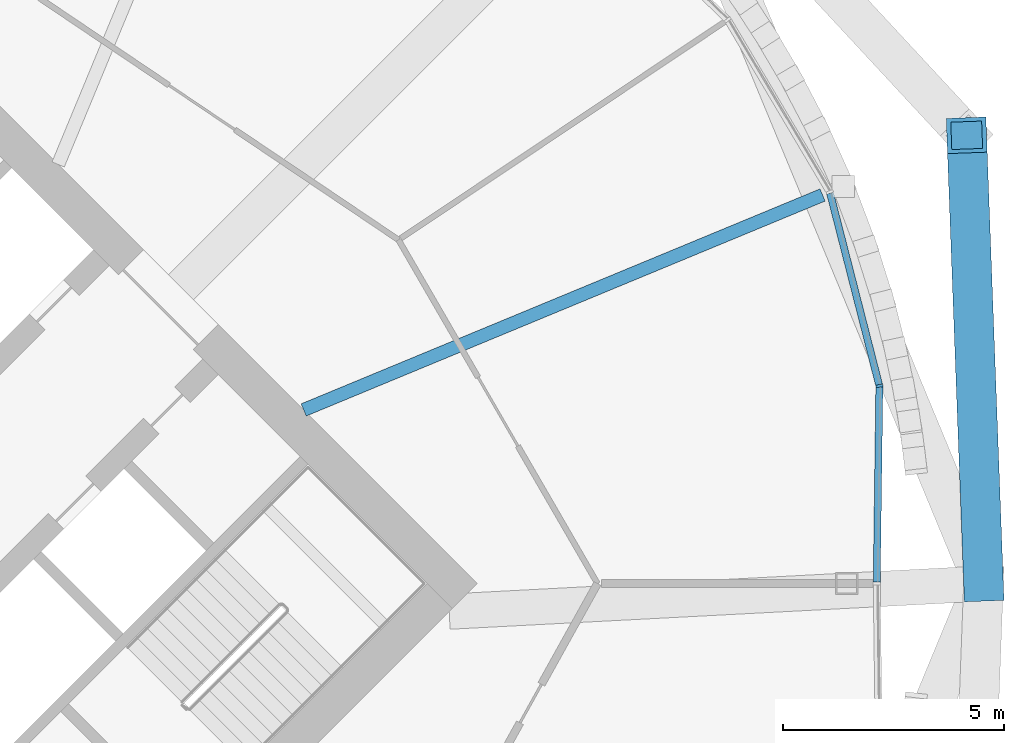
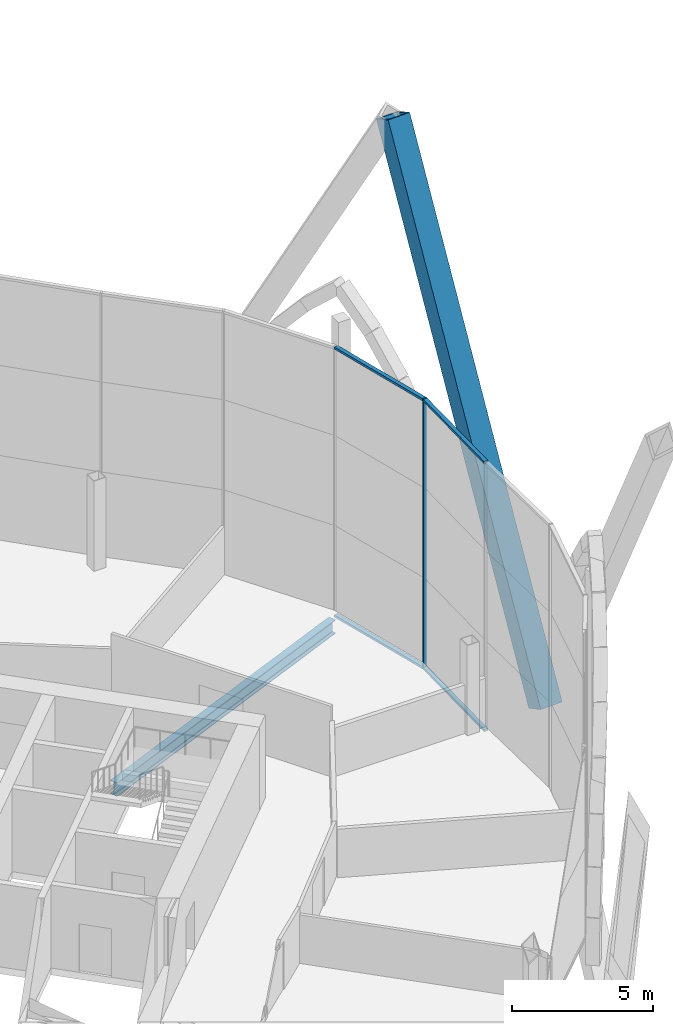
# One storey, part 19 of 37: 6 members, 1 beam, 1 element without a shape of its own.
"""IFC4 building model written with IfcOpenShell, lengths in metres."""

import ifcopenshell
import ifcopenshell.guid

model = None  # the IFC model being written
_history = None  # IfcOwnerHistory: only IFC2X3 demands one
_inside = {}  # id of a spatial element -> (the spatial element, [elements in it])
_under = {}  # id of a project, library or spatial element -> (it, [spatial elements below it])
_declared = {}  # id of a project -> (the project, [libraries it declares])
_typed = {}  # id of a type object -> (the type object, [elements of that type])
_made_of = {}  # id of a material, layer set ... -> (it, [elements and type objects made of it])


def new_model(schema):
    """Start an empty IFC model of exactly this schema.

    Asked for "IFC4X3", IfcOpenShell would pick the latest addendum, in which some entities
    have other attributes; the version numbers below select the first issue.
    IFC2X3 requires an IfcOwnerHistory on every rooted entity: one is made here for all.
    """
    global model, _history
    if schema == "IFC4X3":
        model = ifcopenshell.file(schema_version=(4, 3, 0, 0))
    else:
        model = ifcopenshell.file(schema=schema)
    _inside.clear()
    _under.clear()
    _declared.clear()
    _typed.clear()
    _made_of.clear()
    _history = None
    if model.schema == "IFC2X3":
        org = make("IfcOrganization", Name="unknown")
        user = make(
            "IfcPersonAndOrganization",
            ThePerson=make("IfcPerson", FamilyName="unknown"),
            TheOrganization=org,
        )
        app = make(
            "IfcApplication",
            ApplicationDeveloper=org,
            Version="unknown",
            ApplicationFullName="unknown",
            ApplicationIdentifier="unknown",
        )
        _history = make(
            "IfcOwnerHistory",
            OwningUser=user,
            OwningApplication=app,
            ChangeAction="ADDED",
            CreationDate=0,
        )
    return model


def make(cls, **values):
    """One entity of the class cls with the attributes given. An attribute that is None is left unset."""
    return model.create_entity(
        cls, **{name: value for name, value in values.items() if value is not None}
    )


def rooted(cls, **values):
    """An entity with a GlobalId (a new one), such as an element, a storey or a relation."""
    return make(cls, GlobalId=ifcopenshell.guid.new(), OwnerHistory=_history, **values)


def si_unit(unit_type, name, prefix=None):
    """IfcSIUnit, for example si_unit("LENGTHUNIT", "METRE", prefix="MILLI")."""
    return make("IfcSIUnit", UnitType=unit_type, Prefix=prefix, Name=name)


def assignment(units):
    """IfcUnitAssignment: the units of a project."""
    return None if units is None else make("IfcUnitAssignment", Units=units)


def point(xyz):
    """IfcCartesianPoint."""
    return None if xyz is None else make("IfcCartesianPoint", Coordinates=xyz)


def direction(xyz):
    """IfcDirection."""
    return None if xyz is None else make("IfcDirection", DirectionRatios=xyz)


def frame(location, z_axis=None, x_axis=None):
    """IfcAxis2Placement3D, a coordinate frame: its origin and axes. An axis left out is left unset."""
    return make(
        "IfcAxis2Placement3D",
        Location=point(location),
        Axis=direction(z_axis),
        RefDirection=direction(x_axis),
    )


def frame_2d(location, x_axis=None):
    """IfcAxis2Placement2D, a coordinate frame in the plane: its origin and x axis."""
    return make(
        "IfcAxis2Placement2D", Location=point(location), RefDirection=direction(x_axis)
    )


def origin():
    """The frame at (0, 0, 0) with its axes left unset."""
    return frame((0.0, 0.0, 0.0))


def origin_2d():
    """The frame at (0, 0) in the plane with its x axis left unset."""
    return frame_2d((0.0, 0.0))


def place(relative_to, where):
    """IfcLocalPlacement: puts the frame where relative to a parent placement (None: the world)."""
    return make(
        "IfcLocalPlacement", PlacementRelTo=relative_to, RelativePlacement=where
    )


def context(
    kind, dimensions, precision=None, world=None, true_north=None, identifier=None
):
    """IfcGeometricRepresentationContext, for example the 3D "Model" context."""
    return make(
        "IfcGeometricRepresentationContext",
        ContextIdentifier=identifier,
        ContextType=kind,
        CoordinateSpaceDimension=dimensions,
        Precision=precision,
        WorldCoordinateSystem=world,
        TrueNorth=true_north,
    )


def subcontext(parent, identifier, kind, view, scale=None):
    """IfcGeometricRepresentationSubContext, for example "Body" below "Model"."""
    return make(
        "IfcGeometricRepresentationSubContext",
        ContextIdentifier=identifier,
        ContextType=kind,
        ParentContext=parent,
        TargetScale=scale,
        TargetView=view,
    )


def project(units=None, contexts=None):
    """IfcProject with its units and contexts."""
    return rooted(
        "IfcProject",
        Name="project",
        RepresentationContexts=contexts,
        UnitsInContext=assignment(units),
    )


def spatial(cls, under=None, at=None, **own):
    """A site, building, storey or space (cls), placed at a placement, below another one or the project."""
    s = rooted(cls, ObjectPlacement=at, **own)
    if under is not None:
        _under.setdefault(under.id(), (under, []))[1].append(s)
    return s


def profile(cls, at=None, kind="AREA", **sizes):
    """A parametric profile (cls). Its sizes go by their IFC names, for example OverallWidth=200.0."""
    return make(cls, ProfileType=kind, Position=at, **sizes)


def rectangle(**sizes):
    """IfcRectangleProfileDef."""
    return profile("IfcRectangleProfileDef", **sizes)


def hollow_rectangle(**sizes):
    """IfcRectangleHollowProfileDef."""
    return profile("IfcRectangleHollowProfileDef", **sizes)


def i_section(**sizes):
    """IfcIShapeProfileDef."""
    return profile("IfcIShapeProfileDef", **sizes)


def extrude(swept, where, along, depth):
    """IfcExtrudedAreaSolid: the profile swept, set in the frame where, extruded along a direction by depth."""
    return make(
        "IfcExtrudedAreaSolid",
        SweptArea=swept,
        Position=where,
        ExtrudedDirection=direction(along),
        Depth=depth,
    )


def shape(context_of_items, identifier, shape_type, items):
    """IfcShapeRepresentation: the items that make up one representation, for example the "Body"."""
    return make(
        "IfcShapeRepresentation",
        ContextOfItems=context_of_items,
        RepresentationIdentifier=identifier,
        RepresentationType=shape_type,
        Items=items,
    )


def material(Name=None, Category=None):
    """IfcMaterial."""
    return make("IfcMaterial", Name=Name, Category=Category)


def material_profile(
    of_material, cross_section, Name=None, Category=None, Priority=None
):
    """IfcMaterialProfile: a cross section and its material."""
    return make(
        "IfcMaterialProfile",
        Name=Name,
        Material=of_material,
        Profile=cross_section,
        Priority=Priority,
        Category=Category,
    )


def profile_set(profiles, Name=None, composite=None):
    """IfcMaterialProfileSet."""
    return make(
        "IfcMaterialProfileSet",
        Name=Name,
        MaterialProfiles=profiles,
        CompositeProfile=composite,
    )


def made_of(thing, what):
    """Note that an element or type object is made of a material, layer set ...; save() writes the relation."""
    if what is not None:
        _made_of.setdefault(what.id(), (what, []))[1].append(thing)
    return thing


def type_object(cls, material=None, **own):
    """A type object (cls), such as IfcWallType, which elements share."""
    return made_of(rooted(cls, **own), material)


def element(
    cls,
    number,
    at=None,
    inside=None,
    cuts=None,
    type_object=None,
    material=None,
    context=None,
    identifier="Body",
    shape_type=None,
    held_by="IfcProductDefinitionShape",
    body=None,
    shapes=None,
    **own,
):
    """One element of the class cls, such as IfcWall. Its Tag is "e" and its number.

    at: its placement. inside: the storey or other place that contains it. cuts: it is an
    opening in that element (IfcRelVoidsElement). A single representation is given by context,
    identifier, shape_type and body (its items); several are given by shapes. held_by: the class
    of the entity that holds the representations. save() writes the other relations.
    """
    e = rooted(cls, Tag="e%d" % number, ObjectPlacement=at, **own)
    if body is not None:
        shapes = [shape(context, identifier, shape_type, body)]
    if shapes is not None:
        e.Representation = make(held_by, Representations=shapes)
    if inside is not None:
        _inside.setdefault(inside.id(), (inside, []))[1].append(e)
    if cuts is not None:
        rooted(
            "IfcRelVoidsElement", RelatingBuildingElement=cuts, RelatedOpeningElement=e
        )
    if type_object is not None:
        _typed.setdefault(type_object.id(), (type_object, []))[1].append(e)
    return made_of(e, material)


def aggregate(whole, parts):
    """IfcRelAggregates: a whole, such as a stair, and the parts it consists of."""
    return rooted("IfcRelAggregates", RelatingObject=whole, RelatedObjects=parts)


def save(model, path):
    """Write the relations noted so far, then the file.

    IfcRelAggregates (storeys below a building ...), IfcRelContainedInSpatialStructure (elements
    in a storey), IfcRelDefinesByType, IfcRelAssociatesMaterial and IfcRelDeclares: one each for
    every whole, place, type object, material and project.
    """
    for whole, parts in _under.values():
        aggregate(whole, parts)
    for where, things in _inside.values():
        rooted(
            "IfcRelContainedInSpatialStructure",
            RelatedElements=things,
            RelatingStructure=where,
        )
    for kind, things in _typed.values():
        rooted("IfcRelDefinesByType", RelatedObjects=things, RelatingType=kind)
    for what, things in _made_of.values():
        rooted("IfcRelAssociatesMaterial", RelatedObjects=things, RelatingMaterial=what)
    for by, libraries in _declared.values():
        rooted("IfcRelDeclares", RelatingContext=by, RelatedDefinitions=libraries)
    model.write(path)


model = new_model("IFC4")

# Units and contexts
model_context = context("Model", 3, precision=1e-05, world=origin(), true_north=direction((0.0, 1.0)))
body_context = subcontext(model_context, "Body", "Model", "MODEL_VIEW")
ifc_project = project(units=[si_unit("LENGTHUNIT", "METRE"), si_unit("AREAUNIT", "SQUARE_METRE"), si_unit("VOLUMEUNIT", "CUBIC_METRE"), si_unit("PLANEANGLEUNIT", "RADIAN"), si_unit("MASSUNIT", "GRAM", prefix="KILO")], contexts=[model_context])

# Site, building, storey
site_placement = place(None, origin())
site = spatial("IfcSite", under=ifc_project, at=site_placement, CompositionType="ELEMENT")
building_placement = place(site_placement, origin())
building = spatial("IfcBuilding", under=site, at=building_placement, Name="Ogive Gate Towers", CompositionType="ELEMENT")
storey_placement = place(building_placement, frame((0.0, 0.0, 32.39990234375)))
storey = spatial("IfcBuildingStorey", under=building, at=storey_placement, Name="L06", CompositionType="ELEMENT", Elevation=32.39990234375)

# Member
ifc_material_1 = material(Name="Steel SM460", Category="steel")
ifc_material_profile_1 = material_profile(ifc_material_1, hollow_rectangle(XDim=0.89990234375, YDim=0.89990234375, WallThickness=0.10009765625, at=origin_2d()), Name="BX 900x900x100")
ifc_profile_set_1 = profile_set([ifc_material_profile_1], Name="Steel SM460")
member_type_1 = type_object("IfcMemberType", Name="Diagrid diagonal BX 900x900x100", PredefinedType="BRACE", material=ifc_profile_set_1)
member_1_placement = place(storey_placement, frame((60.909912109375, 0.0, 0.0), z_axis=(-0.017318521171, 0.462004857089, 0.886708283964), x_axis=(-0.999298155125, -0.037459273404, 0.0)))
element("IfcMember", 1, at=member_1_placement, inside=storey, type_object=member_type_1, Name="T2/L06/SDG002", PredefinedType="BRACE", context=body_context, shape_type="SweptSolid", body=[
    extrude(hollow_rectangle(XDim=0.89990234375, YDim=0.89990234375, WallThickness=0.10009765625, at=origin_2d()), origin(), (0.0, 0.0, 1.0), 21.991455078125),
])

# Beam
ifc_material_2 = material(Name="Steel SM355", Category="steel")
ifc_material_profile_2 = material_profile(ifc_material_2, i_section(OverallWidth=0.300048828125, OverallDepth=0.590087890625, WebThickness=0.012939453125, FlangeThickness=0.02490234375, FilletRadius=0.027099609375, at=origin_2d()), Name="HE 600 A")
ifc_profile_set_2 = profile_set([ifc_material_profile_2], Name="Steel SM355")
beam_type = type_object("IfcBeamType", Name="Radial floor beam HE 600 A", PredefinedType="BEAM", material=ifc_profile_set_2)
beam_placement = place(storey_placement, frame((45.5, 3.93505859375, -0.594970703125), z_axis=(0.923876595354, 0.382690523214, 0.0), x_axis=(-0.382690523214, 0.923876595354, 0.0)))
element("IfcBeam", 2, at=beam_placement, inside=storey, type_object=beam_type, Name="T2/L06/SBM008", PredefinedType="BEAM", context=body_context, shape_type="SweptSolid", body=[
    extrude(i_section(OverallWidth=0.300048828125, OverallDepth=0.590087890625, WebThickness=0.012939453125, FlangeThickness=0.02490234375, FilletRadius=0.027099609375, at=origin_2d()), origin(), (0.0, 0.0, 1.0), 12.731201171875),
])

# Curtain wall, members
ifc_material_3 = material(Name="Pale metal aluminium", Category="aluminium")
curtain_wall_type = type_object("IfcCurtainWallType", Name="Tower unitised wall, low zone", PredefinedType="NOTDEFINED", material=ifc_material_3)
curtain_wall_placement = place(storey_placement, origin())
curtain_wall = element("IfcCurtainWall", 3, at=curtain_wall_placement, inside=storey, type_object=curtain_wall_type, Name="CW1 T2 ECW01", PredefinedType="NOTDEFINED")
ifc_material_profile_3 = material_profile(ifc_material_3, rectangle(XDim=0.159912109375, YDim=0.06005859375, at=origin_2d()), Name="60 x 160 aluminium box")
ifc_profile_set_3 = profile_set([ifc_material_profile_3], Name="Pale metal aluminium")
member_type_2 = type_object("IfcMemberType", Name="Tower unitised wall, low zone mullion 60 x 160", PredefinedType="MULLION", material=ifc_profile_set_3)
member_2_placement = place(storey_placement, frame((58.550048828125, 4.47900390625, -0.2998046875), z_axis=(0.0, 0.0, 1.0), x_axis=(0.992984094708, 0.118247992189, 0.0)))
member_2 = element("IfcMember", 4, at=member_2_placement, type_object=member_type_2, Name="CW1 mullion", PredefinedType="MULLION", context=body_context, shape_type="SweptSolid", body=[
    extrude(rectangle(XDim=0.159912109375, YDim=0.06005859375, at=origin_2d()), origin(), (0.0, 0.0, 1.0), 11.699951171875),
])
ifc_material_profile_4 = material_profile(ifc_material_3, rectangle(XDim=0.159912109375, YDim=0.10009765625, at=origin_2d()), Name="100 x 160 aluminium box")
ifc_profile_set_4 = profile_set([ifc_material_profile_4], Name="Pale metal aluminium")
member_type_3 = type_object("IfcMemberType", Name="Tower unitised wall, low zone transom 100 x 160", PredefinedType="USERDEFINED", material=ifc_profile_set_4)
member_3_placement = place(storey_placement, frame((58.490478515625, 0.0302734375, 11.35009765625), z_axis=(0.013361590097, 0.99991072997, 0.0), x_axis=(-0.99991072997, 0.013361590097, 0.0)))
member_3 = element("IfcMember", 5, at=member_3_placement, type_object=member_type_3, Name="CW1 transom", ObjectType="TRANSOM", PredefinedType="USERDEFINED", context=body_context, shape_type="SweptSolid", body=[
    extrude(rectangle(XDim=0.159912109375, YDim=0.10009765625, at=origin_2d()), origin(), (0.0, 0.0, 1.0), 4.421875),
])
member_4_placement = place(storey_placement, frame((58.490478515625, 0.0302734375, -0.25), z_axis=(0.013361590097, 0.99991072997, 0.0), x_axis=(-0.99991072997, 0.013361590097, 0.0)))
member_4 = element("IfcMember", 6, at=member_4_placement, type_object=member_type_3, Name="CW1 transom", ObjectType="TRANSOM", PredefinedType="USERDEFINED", context=body_context, shape_type="SweptSolid", body=[
    extrude(rectangle(XDim=0.159912109375, YDim=0.10009765625, at=origin_2d()), origin(), (0.0, 0.0, 1.0), 4.421875),
])
member_5_placement = place(storey_placement, frame((58.543212890625, 4.505615234375, 11.35009765625), z_axis=(-0.24781185132, 0.968808178302, 0.0), x_axis=(-0.968808178302, -0.24781185132, 0.0)))
member_5 = element("IfcMember", 7, at=member_5_placement, type_object=member_type_3, Name="CW1 transom", ObjectType="TRANSOM", PredefinedType="USERDEFINED", context=body_context, shape_type="SweptSolid", body=[
    extrude(rectangle(XDim=0.159912109375, YDim=0.10009765625, at=origin_2d()), origin(), (0.0, 0.0, 1.0), 4.482666015625),
])
member_6_placement = place(storey_placement, frame((58.543212890625, 4.505615234375, -0.25), z_axis=(-0.24781185132, 0.968808178302, 0.0), x_axis=(-0.968808178302, -0.24781185132, 0.0)))
member_6 = element("IfcMember", 8, at=member_6_placement, type_object=member_type_3, Name="CW1 transom", ObjectType="TRANSOM", PredefinedType="USERDEFINED", context=body_context, shape_type="SweptSolid", body=[
    extrude(rectangle(XDim=0.159912109375, YDim=0.10009765625, at=origin_2d()), origin(), (0.0, 0.0, 1.0), 4.482666015625),
])
aggregate(curtain_wall, [member_2, member_3, member_4, member_5, member_6])

save(model, "model.ifc")
